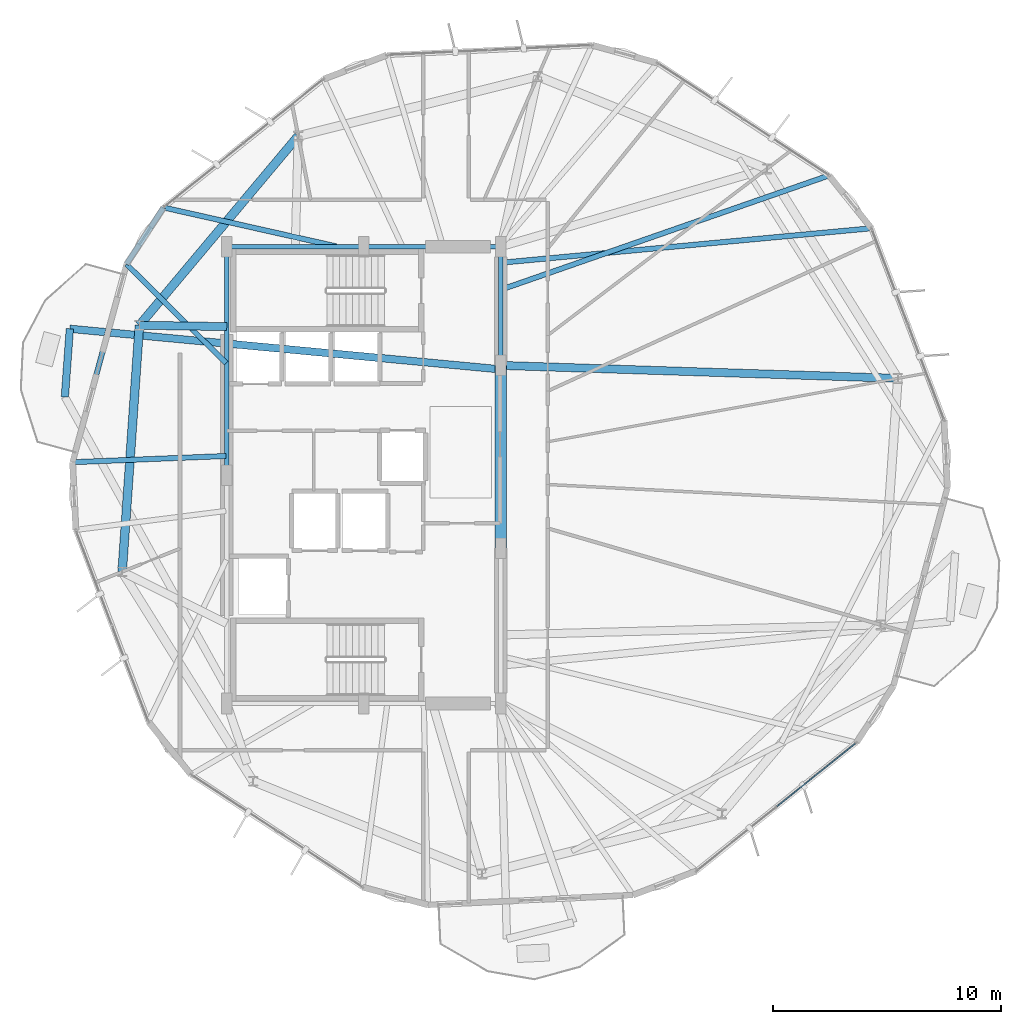
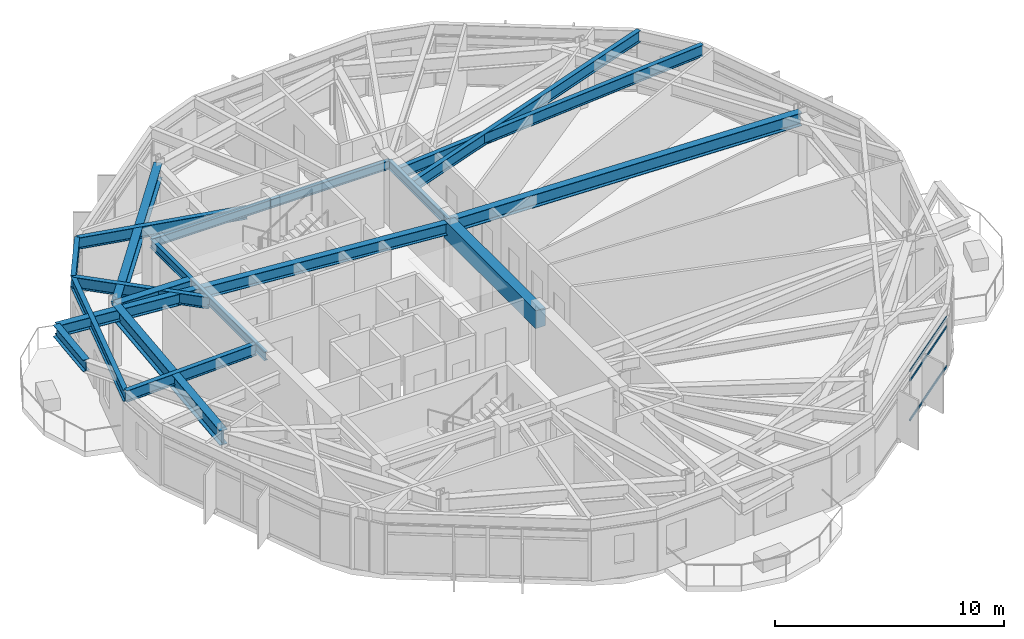
# One storey, part 9 of 23: 18 beams, 3 members, 1 element without a shape of its own.
"""IFC4 building model written with IfcOpenShell, lengths in metres."""

from ifc_helpers import new_model, si_unit, direction, frame, origin, origin_2d, place, context, subcontext, project, spatial, rectangle, hollow_rectangle, i_section, extrude, material, layer, layer_set, material_profile, profile_set, type_object, element, aggregate, save


model = new_model("IFC4")

# Units and contexts
model_context = context("Model", 3, precision=1e-05, world=origin(), true_north=direction((0.0, 1.0)))
body_context = subcontext(model_context, "Body", "Model", "MODEL_VIEW")
ifc_project = project(units=[si_unit("LENGTHUNIT", "METRE"), si_unit("AREAUNIT", "SQUARE_METRE"), si_unit("VOLUMEUNIT", "CUBIC_METRE"), si_unit("PLANEANGLEUNIT", "RADIAN"), si_unit("MASSUNIT", "GRAM", prefix="KILO")], contexts=[model_context])

# Site, building, storey
site_placement = place(None, origin())
site = spatial("IfcSite", under=ifc_project, at=site_placement, CompositionType="ELEMENT")
building_placement = place(site_placement, origin())
building = spatial("IfcBuilding", under=site, at=building_placement, Name="Soratama Intermodal Tower", CompositionType="ELEMENT")
storey_placement = place(building_placement, frame((0.0, 0.0, 175.0)))
storey = spatial("IfcBuildingStorey", under=building, at=storey_placement, Name="L43", CompositionType="ELEMENT", Elevation=175.0)

# Beams
ifc_material_1 = material(Name="Structural steel ASTM A992 Grade 50", Category="steel")
ifc_material_profile_1 = material_profile(ifc_material_1, i_section(OverallWidth=0.324951171875, OverallDepth=0.615966796875, WebThickness=0.013916015625, FlangeThickness=0.021484375, FilletRadius=0.013916015625, at=origin_2d()), Name="W24X117")
ifc_profile_set_1 = profile_set([ifc_material_profile_1], Name="Structural steel ASTM A992 Grade 50")
beam_type_1 = type_object("IfcBeamType", Name="BM-CANT-W24X117", PredefinedType="BEAM", material=ifc_profile_set_1)
beam_1_placement = place(storey_placement, frame((25.72998046875, 31.404052734375, 2.991943359375), z_axis=(-0.072817377556, -0.997345291023, 0.0), x_axis=(0.997345291023, -0.072817377556, 0.0)))
element("IfcBeam", 1, at=beam_1_placement, inside=storey, type_object=beam_type_1, Name="BM-L43-CBHDR-2", PredefinedType="BEAM", context=body_context, shape_type="SweptSolid", body=[
    extrude(i_section(OverallWidth=0.324951171875, OverallDepth=0.615966796875, WebThickness=0.013916015625, FlangeThickness=0.021484375, FilletRadius=0.013916015625, at=origin_2d()), origin(), (0.0, 0.0, 1.0), 2.994140625),
])
beam_2_placement = place(storey_placement, frame((44.365966796875, 29.64794921875, 2.991943359375), z_axis=(-0.995589529891, 0.093816245772, 0.0), x_axis=(-0.093816245772, -0.995589529891, 0.0)))
element("IfcBeam", 2, at=beam_2_placement, inside=storey, type_object=beam_type_1, Name="BM-L43-CANT-2-1", PredefinedType="BEAM", context=body_context, shape_type="SweptSolid", body=[
    extrude(i_section(OverallWidth=0.324951171875, OverallDepth=0.615966796875, WebThickness=0.013916015625, FlangeThickness=0.021484375, FilletRadius=0.013916015625, at=origin_2d()), origin(), (0.0, 0.0, 1.0), 18.718505859375),
])
ifc_material_2 = material(Name="Concrete f'c 56 MPa", Category="concrete")
ifc_material_profile_2 = material_profile(ifc_material_2, rectangle(XDim=0.5, YDim=0.949951171875, at=origin_2d()), Name="RC500X950")
ifc_profile_set_2 = profile_set([ifc_material_profile_2], Name="Concrete f'c 56 MPa")
beam_type_2 = type_object("IfcBeamType", Name="BM-CPL-RC500X950", PredefinedType="BEAM", material=ifc_profile_set_2)
beam_3_placement = place(storey_placement, frame((44.60009765625, 21.800048828125, 2.824951171875), z_axis=(0.0, 1.0, 0.0), x_axis=(-1.0, 0.0, 0.0)))
element("IfcBeam", 3, at=beam_3_placement, inside=storey, type_object=beam_type_2, Name="L43 Core Coupling Beam East", PredefinedType="BEAM", context=body_context, shape_type="SweptSolid", body=[
    extrude(rectangle(XDim=0.5, YDim=0.949951171875, at=origin_2d()), origin(), (0.0, 0.0, 1.0), 8.0),
])
ifc_material_3 = material(Name="Structural steel ASTM A992 Grade 50", Category="steel")
ifc_material_profile_3 = material_profile(ifc_material_3, i_section(OverallWidth=0.19091796875, OverallDepth=0.4599609375, WebThickness=0.010009765625, FlangeThickness=0.01611328125, FilletRadius=0.010986328125, at=origin_2d()), Name="W18X55")
ifc_profile_set_3 = profile_set([ifc_material_profile_3], Name="Structural steel ASTM A992 Grade 50")
beam_type_3 = type_object("IfcBeamType", Name="BM-FLR-W18X55", PredefinedType="BEAM", material=ifc_profile_set_3)
beam_4_placement = place(storey_placement, frame((44.60009765625, 29.800048828125, 3.070068359375), z_axis=(0.0, 1.0, 0.0), x_axis=(-1.0, 0.0, 0.0)))
element("IfcBeam", 4, at=beam_4_placement, inside=storey, type_object=beam_type_3, Name="BM-L43-CRING-05", PredefinedType="BEAM", context=body_context, shape_type="SweptSolid", body=[
    extrude(i_section(OverallWidth=0.19091796875, OverallDepth=0.4599609375, WebThickness=0.010009765625, FlangeThickness=0.01611328125, FilletRadius=0.010986328125, at=origin_2d()), origin(), (0.0, 0.0, 1.0), 5.199951171875),
])
for number, where, z_axis, x_axis, name in (
    (5, (44.60009765625, 35.0, 3.070068359375), (-1.0, 0.0, 0.0), (0.0, -1.0, 0.0), "BM-L43-CRING-06"),
    (6, (38.60009765625, 35.0, 3.070068359375), (-1.0, 0.0, 0.0), (0.0, -1.0, 0.0), "BM-L43-CRING-07"),
):
    element("IfcBeam", number, at=place(storey_placement, frame(where, z_axis=z_axis, x_axis=x_axis)), inside=storey, type_object=beam_type_3, Name=name, PredefinedType="BEAM", context=body_context, shape_type="SweptSolid", body=[
        extrude(i_section(OverallWidth=0.19091796875, OverallDepth=0.4599609375, WebThickness=0.010009765625, FlangeThickness=0.01611328125, FilletRadius=0.010986328125, at=origin_2d()), origin(), (0.0, 0.0, 1.0), 6.0),
    ])
beam_5_placement = place(storey_placement, frame((32.60009765625, 35.0, 3.070068359375), z_axis=(0.0, -1.0, 0.0), x_axis=(1.0, 0.0, 0.0)))
element("IfcBeam", 7, at=beam_5_placement, inside=storey, type_object=beam_type_3, Name="BM-L43-CRING-08", PredefinedType="BEAM", context=body_context, shape_type="SweptSolid", body=[
    extrude(i_section(OverallWidth=0.19091796875, OverallDepth=0.4599609375, WebThickness=0.010009765625, FlangeThickness=0.01611328125, FilletRadius=0.010986328125, at=origin_2d()), origin(), (0.0, 0.0, 1.0), 10.0),
])
ifc_material_4 = material(Name="Structural steel ASTM A992 Grade 50", Category="steel")
ifc_material_profile_4 = material_profile(ifc_material_4, i_section(OverallWidth=0.35498046875, OverallDepth=0.695068359375, WebThickness=0.015380859375, FlangeThickness=0.02490234375, FilletRadius=0.01611328125, at=origin_2d()), Name="W27X146")
ifc_profile_set_4 = profile_set([ifc_material_profile_4], Name="Structural steel ASTM A992 Grade 50")
beam_type_4 = type_object("IfcBeamType", Name="BM-RING-W27X146", PredefinedType="BEAM", material=ifc_profile_set_4)
beam_6_placement = place(storey_placement, frame((44.60009765625, 29.800048828125, 2.952392578125), z_axis=(0.999469833309, -0.032558444449, 0.0), x_axis=(0.032558444449, 0.999469833309, 0.0)))
element("IfcBeam", 8, at=beam_6_placement, inside=storey, type_object=beam_type_4, Name="BM-L43-RAD-01", PredefinedType="BEAM", context=body_context, shape_type="SweptSolid", body=[
    extrude(i_section(OverallWidth=0.35498046875, OverallDepth=0.695068359375, WebThickness=0.015380859375, FlangeThickness=0.02490234375, FilletRadius=0.01611328125, at=origin_2d()), origin(), (0.0, 0.0, 1.0), 17.38916015625),
])
beam_7_placement = place(storey_placement, frame((32.60009765625, 31.5, 2.952392578125), z_axis=(-0.999893261134, 0.014610487289, 0.0), x_axis=(-0.014610487289, -0.999893261134, 0.0)))
element("IfcBeam", 9, at=beam_7_placement, inside=storey, type_object=beam_type_4, Name="BM-L43-RAD-05", PredefinedType="BEAM", context=body_context, shape_type="SweptSolid", body=[
    extrude(i_section(OverallWidth=0.35498046875, OverallDepth=0.695068359375, WebThickness=0.015380859375, FlangeThickness=0.02490234375, FilletRadius=0.01611328125, at=origin_2d()), origin(), (0.0, 0.0, 1.0), 3.82666015625),
])
ifc_material_5 = material(Name="Structural steel ASTM A992 Grade 50", Category="steel")
ifc_material_profile_5 = material_profile(ifc_material_5, i_section(OverallWidth=0.382080078125, OverallDepth=0.779052734375, WebThickness=0.01806640625, FlangeThickness=0.030029296875, FilletRadius=0.01806640625, at=origin_2d()), Name="W30X191")
ifc_profile_set_5 = profile_set([ifc_material_profile_5], Name="Structural steel ASTM A992 Grade 50")
beam_type_5 = type_object("IfcBeamType", Name="BM-RING-W30X191", PredefinedType="BEAM", material=ifc_profile_set_5)
beam_8_placement = place(storey_placement, frame((35.72607421875, 39.841064453125, 2.910400390625), z_axis=(-0.642791781199, -0.766040942785, 0.0), x_axis=(0.766040942785, -0.642791781199, 0.0)))
element("IfcBeam", 10, at=beam_8_placement, inside=storey, type_object=beam_type_5, Name="BM-L43-RING-04", PredefinedType="BEAM", context=body_context, shape_type="SweptSolid", body=[
    extrude(i_section(OverallWidth=0.382080078125, OverallDepth=0.779052734375, WebThickness=0.01806640625, FlangeThickness=0.030029296875, FilletRadius=0.01806640625, at=origin_2d()), origin(), (0.0, 0.0, 1.0), 10.815673828125),
])
beam_9_placement = place(storey_placement, frame((28.77392578125, 31.555908203125, 2.910400390625), z_axis=(-0.069702217409, -0.99756784275, 0.0), x_axis=(0.99756784275, -0.069702217409, 0.0)))
element("IfcBeam", 11, at=beam_9_placement, inside=storey, type_object=beam_type_5, Name="BM-L43-RING-05", PredefinedType="BEAM", context=body_context, shape_type="SweptSolid", body=[
    extrude(i_section(OverallWidth=0.382080078125, OverallDepth=0.779052734375, WebThickness=0.01806640625, FlangeThickness=0.030029296875, FilletRadius=0.01806640625, at=origin_2d()), origin(), (0.0, 0.0, 1.0), 10.816162109375),
])
ifc_material_6 = material(Name="Structural steel ASTM A992 Grade 50", Category="steel")
ifc_material_profile_6 = material_profile(ifc_material_6, i_section(OverallWidth=0.22900390625, OverallDepth=0.612060546875, WebThickness=0.011962890625, FlangeThickness=0.01953125, FilletRadius=0.012939453125, at=origin_2d()), Name="W24X84")
ifc_profile_set_6 = profile_set([ifc_material_profile_6], Name="Structural steel ASTM A992 Grade 50")
beam_type_6 = type_object("IfcBeamType", Name="BM-SPN-W24X84", PredefinedType="SPANDREL", material=ifc_profile_set_6)
beam_10_placement = place(storey_placement, frame((29.833984375, 36.712890625, 2.993896484375), z_axis=(-0.547998464568, -0.836479337958, 0.0), x_axis=(0.836479337958, -0.547998464568, 0.0)))
element("IfcBeam", 12, at=beam_10_placement, inside=storey, type_object=beam_type_6, Name="BS-L43-CRN03", PredefinedType="SPANDREL", context=body_context, shape_type="SweptSolid", body=[
    extrude(i_section(OverallWidth=0.22900390625, OverallDepth=0.612060546875, WebThickness=0.011962890625, FlangeThickness=0.01953125, FilletRadius=0.012939453125, at=origin_2d()), origin(), (0.0, 0.0, 1.0), 2.967041015625),
])
beam_11_placement = place(storey_placement, frame((28.2080078125, 34.23095703125, 2.993896484375), z_axis=(-0.262889780126, -0.964825872116, 0.0), x_axis=(0.964825872116, -0.262889780126, 0.0)))
element("IfcBeam", 13, at=beam_11_placement, inside=storey, type_object=beam_type_6, Name="BS-L43-F04", PredefinedType="SPANDREL", context=body_context, shape_type="SweptSolid", body=[
    extrude(i_section(OverallWidth=0.22900390625, OverallDepth=0.612060546875, WebThickness=0.011962890625, FlangeThickness=0.01953125, FilletRadius=0.012939453125, at=origin_2d()), origin(), (0.0, 0.0, 1.0), 8.98486328125),
])
ifc_material_7 = material(Name="Structural steel ASTM A992 Grade 50", Category="steel")
ifc_material_profile_7 = material_profile(ifc_material_7, i_section(OverallWidth=0.22900390625, OverallDepth=0.612060546875, WebThickness=0.011962890625, FlangeThickness=0.01953125, FilletRadius=0.012939453125, at=origin_2d()), Name="W24X84")
ifc_profile_set_7 = profile_set([ifc_material_profile_7], Name="Structural steel ASTM A992 Grade 50")
beam_type_7 = type_object("IfcBeamType", Name="BM-TIE-W24X84", PredefinedType="BEAM", material=ifc_profile_set_7)
beam_12_placement = place(storey_placement, frame((44.637939453125, 33.126953125, 2.993896484375), z_axis=(0.94438191569, 0.328850721936, 0.0), x_axis=(-0.328850721936, 0.94438191569, 0.0)))
element("IfcBeam", 14, at=beam_12_placement, inside=storey, type_object=beam_type_7, Name="BM-L43-TIE0-01", PredefinedType="BEAM", context=body_context, shape_type="SweptSolid", body=[
    extrude(i_section(OverallWidth=0.22900390625, OverallDepth=0.612060546875, WebThickness=0.011962890625, FlangeThickness=0.01953125, FilletRadius=0.012939453125, at=origin_2d()), origin(), (0.0, 0.0, 1.0), 15.174072265625),
])
beam_13_placement = place(storey_placement, frame((37.407958984375, 35.009033203125, 2.993896484375), z_axis=(-0.975617668962, 0.219477023875, 0.0), x_axis=(-0.219477023875, -0.975617668962, 0.0)))
element("IfcBeam", 15, at=beam_13_placement, inside=storey, type_object=beam_type_7, Name="BM-L43-TIE1-03", PredefinedType="BEAM", context=body_context, shape_type="SweptSolid", body=[
    extrude(i_section(OverallWidth=0.22900390625, OverallDepth=0.612060546875, WebThickness=0.011962890625, FlangeThickness=0.01953125, FilletRadius=0.012939453125, at=origin_2d()), origin(), (0.0, 0.0, 1.0), 7.76318359375),
])
beam_14_placement = place(storey_placement, frame((32.572021484375, 29.89794921875, 2.993896484375), z_axis=(-0.709623186709, 0.704581388404, 0.0), x_axis=(-0.704581388404, -0.709623186709, 0.0)))
element("IfcBeam", 16, at=beam_14_placement, inside=storey, type_object=beam_type_7, Name="BM-L43-TIE0-04", PredefinedType="BEAM", context=body_context, shape_type="SweptSolid", body=[
    extrude(i_section(OverallWidth=0.22900390625, OverallDepth=0.612060546875, WebThickness=0.011962890625, FlangeThickness=0.01953125, FilletRadius=0.012939453125, at=origin_2d()), origin(), (0.0, 0.0, 1.0), 6.149658203125),
])
beam_15_placement = place(storey_placement, frame((32.56005859375, 25.833984375, 2.993896484375), z_axis=(-0.999180574734, -0.040474424939, 0.0), x_axis=(0.040474424939, -0.999180574734, 0.0)))
element("IfcBeam", 17, at=beam_15_placement, inside=storey, type_object=beam_type_7, Name="BM-L43-TIE1-04", PredefinedType="BEAM", context=body_context, shape_type="SweptSolid", body=[
    extrude(i_section(OverallWidth=0.22900390625, OverallDepth=0.612060546875, WebThickness=0.011962890625, FlangeThickness=0.01953125, FilletRadius=0.012939453125, at=origin_2d()), origin(), (0.0, 0.0, 1.0), 6.7197265625),
])
beam_16_placement = place(storey_placement, frame((44.639892578125, 34.297119140625, 2.993896484375), z_axis=(0.995694642402, 0.092694007857, 0.0), x_axis=(-0.092694007857, 0.995694642402, 0.0)))
element("IfcBeam", 18, at=beam_16_placement, inside=storey, type_object=beam_type_7, Name="BM-L43-TIE1-10", PredefinedType="BEAM", context=body_context, shape_type="SweptSolid", body=[
    extrude(i_section(OverallWidth=0.22900390625, OverallDepth=0.612060546875, WebThickness=0.011962890625, FlangeThickness=0.01953125, FilletRadius=0.012939453125, at=origin_2d()), origin(), (0.0, 0.0, 1.0), 16.256103515625),
])

# Curtain wall, members
ifc_material_8 = material(Name="Double-glazed aluminium curtain wall", Category="aluminium")
ifc_layer = layer(ifc_material_8, 0.159912109375)
ifc_layer_set = layer_set([ifc_layer], Name="Double-glazed aluminium curtain wall")
curtain_wall_type = type_object("IfcCurtainWallType", Name="CW-SYS-4", PredefinedType="NOTDEFINED", material=ifc_layer_set)
curtain_wall_placement = place(storey_placement, origin())
curtain_wall = element("IfcCurtainWall", 19, at=curtain_wall_placement, inside=storey, type_object=curtain_wall_type, Name="L43 Faceted Curtain Wall F08", PredefinedType="NOTDEFINED")
ifc_material_9 = material(Name="Anodised aluminium AA 6063-T6", Category="aluminium")
ifc_material_profile_8 = material_profile(ifc_material_9, hollow_rectangle(XDim=0.06005859375, YDim=0.1298828125, WallThickness=0.0048828125, InnerFilletRadius=0.0048828125, OuterFilletRadius=0.010009765625, at=origin_2d()), Name="CWT130X60X5")
ifc_profile_set_8 = profile_set([ifc_material_profile_8], Name="Anodised aluminium AA 6063-T6")
member_type = type_object("IfcMemberType", Name="TT-CWT-2", PredefinedType="USERDEFINED", material=ifc_profile_set_8)
member_1_placement = place(storey_placement, frame((56.685546875, 10.493408203125, 0.030029296875), z_axis=(0.779774792164, 0.626060119722, 0.0), x_axis=(-0.626060119722, 0.779774792164, 0.0)))
member_1 = element("IfcMember", 20, at=member_1_placement, type_object=member_type, Name="CW-4 transom 2.1", ObjectType="TRANSOM", PredefinedType="USERDEFINED", context=body_context, shape_type="SweptSolid", body=[
    extrude(hollow_rectangle(XDim=0.06005859375, YDim=0.1298828125, WallThickness=0.0048828125, InnerFilletRadius=0.0048828125, OuterFilletRadius=0.010009765625, at=origin_2d()), origin(), (0.0, 0.0, 1.0), 4.402587890625),
])
member_2_placement = place(storey_placement, frame((56.685546875, 10.493408203125, 2.14990234375), z_axis=(0.779774792164, 0.626060119722, 0.0), x_axis=(-0.626060119722, 0.779774792164, 0.0)))
member_2 = element("IfcMember", 21, at=member_2_placement, type_object=member_type, Name="CW-4 transom 2.2", ObjectType="TRANSOM", PredefinedType="USERDEFINED", context=body_context, shape_type="SweptSolid", body=[
    extrude(hollow_rectangle(XDim=0.06005859375, YDim=0.1298828125, WallThickness=0.0048828125, InnerFilletRadius=0.0048828125, OuterFilletRadius=0.010009765625, at=origin_2d()), origin(), (0.0, 0.0, 1.0), 4.402587890625),
])
member_3_placement = place(storey_placement, frame((56.685546875, 10.493408203125, 2.64892578125), z_axis=(0.779774792164, 0.626060119722, 0.0), x_axis=(-0.626060119722, 0.779774792164, 0.0)))
member_3 = element("IfcMember", 22, at=member_3_placement, type_object=member_type, Name="CW-4 transom 2.3", ObjectType="TRANSOM", PredefinedType="USERDEFINED", context=body_context, shape_type="SweptSolid", body=[
    extrude(hollow_rectangle(XDim=0.06005859375, YDim=0.1298828125, WallThickness=0.0048828125, InnerFilletRadius=0.0048828125, OuterFilletRadius=0.010009765625, at=origin_2d()), origin(), (0.0, 0.0, 1.0), 4.402587890625),
])
aggregate(curtain_wall, [member_1, member_2, member_3])

save(model, "model.ifc")
